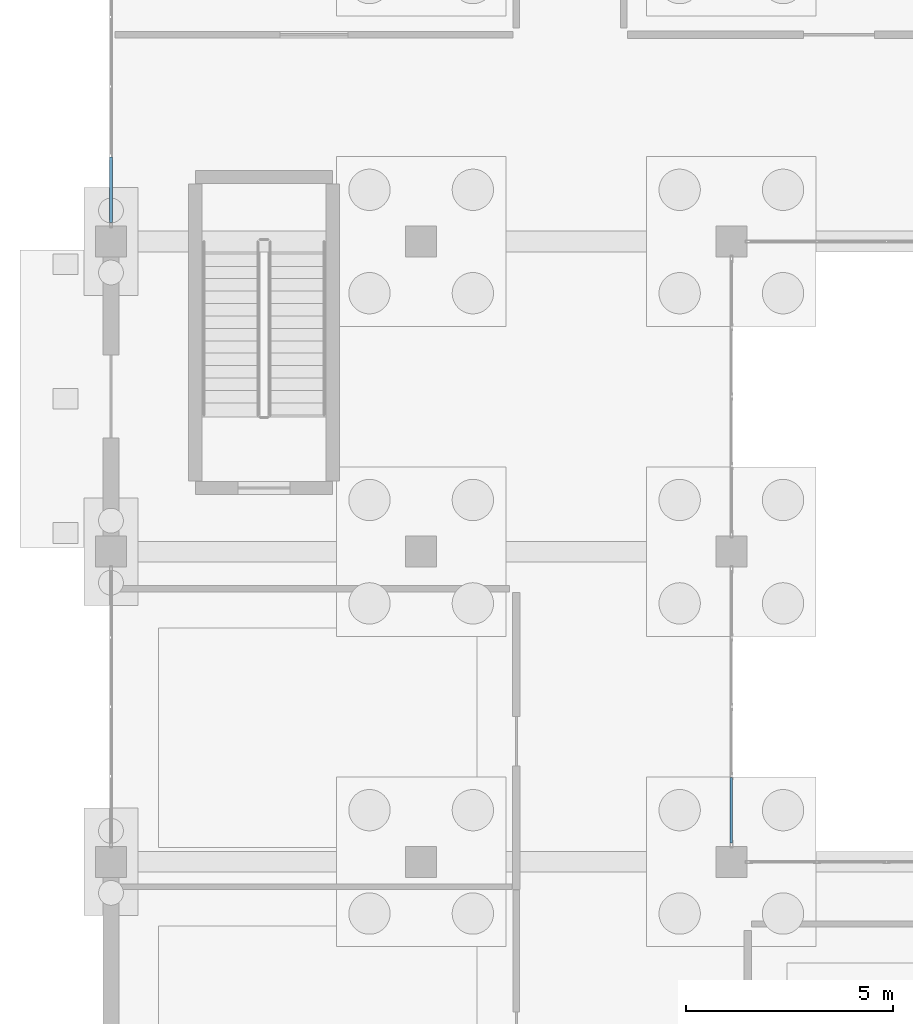
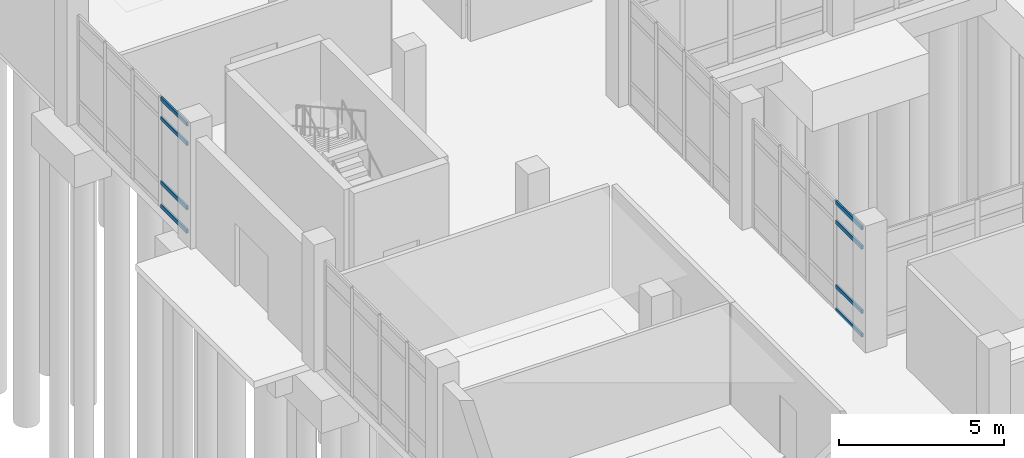
# One storey, part 28 of 173: 8 members, 2 elements without a shape of their own.
"""IFC4 building model written with IfcOpenShell, lengths in metres."""

from ifc_helpers import new_model, si_unit, direction, frame, origin, origin_2d, place, context, subcontext, project, spatial, hollow_rectangle, extrude, material, layer, layer_set, material_profile, profile_set, type_object, element, aggregate, save


model = new_model("IFC4")

# Units and contexts
model_context = context("Model", 3, precision=1e-05, world=origin(), true_north=direction((0.0, 1.0)))
body_context = subcontext(model_context, "Body", "Model", "MODEL_VIEW")
ifc_project = project(units=[si_unit("LENGTHUNIT", "METRE"), si_unit("AREAUNIT", "SQUARE_METRE"), si_unit("VOLUMEUNIT", "CUBIC_METRE"), si_unit("PLANEANGLEUNIT", "RADIAN"), si_unit("MASSUNIT", "GRAM", prefix="KILO")], contexts=[model_context])

# Site, building, storey
site_placement = place(None, origin())
site = spatial("IfcSite", under=ifc_project, at=site_placement, CompositionType="ELEMENT")
building_placement = place(site_placement, origin())
building = spatial("IfcBuilding", under=site, at=building_placement, Name="Mawjan Specialist Oncology Clinic", CompositionType="ELEMENT")
storey_placement = place(building_placement, origin())
storey = spatial("IfcBuildingStorey", under=building, at=storey_placement, Name="L00", CompositionType="ELEMENT", Elevation=0.0)

# Curtain wall, members
ifc_material_1 = material(Name="Unitised spectrally selective aluminium curtain wall", Category="aluminium")
ifc_layer = layer(ifc_material_1, 0.179931640625, Name="Unitised spectrally selective aluminium curtain wall", Category="aluminium")
ifc_layer_set = layer_set([ifc_layer], Name="Unitised spectrally selective aluminium curtain wall")
curtain_wall_type = type_object("IfcCurtainWallType", Name="CW-02", PredefinedType="NOTDEFINED", material=ifc_layer_set)
curtain_wall_1_placement = place(storey_placement, origin())
curtain_wall_1 = element("IfcCurtainWall", 1, at=curtain_wall_1_placement, inside=storey, type_object=curtain_wall_type, Name="L00 Unitised Curtain Wall CW-L00-004", PredefinedType="NOTDEFINED")
ifc_material_2 = material(Name="Thermally broken aluminium 6063-T6", Category="aluminium")
ifc_material_profile = material_profile(ifc_material_2, hollow_rectangle(XDim=0.06494140625, YDim=0.139892578125, WallThickness=0.00390625, at=origin_2d()), Name="ALU TRANSOM 140x65x4", Category="aluminium")
ifc_profile_set = profile_set([ifc_material_profile], Name="Thermally broken aluminium 6063-T6")
member_type = type_object("IfcMemberType", Name="CW-T140", PredefinedType="USERDEFINED", material=ifc_profile_set)
member_1_placement = place(storey_placement, frame((0.0, 31.260009765625, 0.032470703125), z_axis=(0.0, 1.0, 0.0), x_axis=(-1.0, 0.0, 0.0)))
member_1 = element("IfcMember", 2, at=member_1_placement, type_object=member_type, Name="CW-02 transom 1.1", ObjectType="TRANSOM", PredefinedType="USERDEFINED", context=body_context, shape_type="SweptSolid", body=[
    extrude(hollow_rectangle(XDim=0.06494140625, YDim=0.139892578125, WallThickness=0.00390625, at=origin_2d()), origin(), (0.0, 0.0, 1.0), 1.580078125),
])
member_2_placement = place(storey_placement, frame((0.0, 31.260009765625, 0.89990234375), z_axis=(0.0, 1.0, 0.0), x_axis=(-1.0, 0.0, 0.0)))
member_2 = element("IfcMember", 3, at=member_2_placement, type_object=member_type, Name="CW-02 transom 1.2", ObjectType="TRANSOM", PredefinedType="USERDEFINED", context=body_context, shape_type="SweptSolid", body=[
    extrude(hollow_rectangle(XDim=0.06494140625, YDim=0.139892578125, WallThickness=0.00390625, at=origin_2d()), origin(), (0.0, 0.0, 1.0), 1.580078125),
])
member_3_placement = place(storey_placement, frame((0.0, 31.260009765625, 3.284912109375), z_axis=(0.0, 1.0, 0.0), x_axis=(-1.0, 0.0, 0.0)))
member_3 = element("IfcMember", 4, at=member_3_placement, type_object=member_type, Name="CW-02 transom 1.3", ObjectType="TRANSOM", PredefinedType="USERDEFINED", context=body_context, shape_type="SweptSolid", body=[
    extrude(hollow_rectangle(XDim=0.06494140625, YDim=0.139892578125, WallThickness=0.00390625, at=origin_2d()), origin(), (0.0, 0.0, 1.0), 1.580078125),
])
member_4_placement = place(storey_placement, frame((0.0, 31.260009765625, 4.00244140625), z_axis=(0.0, 1.0, 0.0), x_axis=(-1.0, 0.0, 0.0)))
member_4 = element("IfcMember", 5, at=member_4_placement, type_object=member_type, Name="CW-02 transom 1.4", ObjectType="TRANSOM", PredefinedType="USERDEFINED", context=body_context, shape_type="SweptSolid", body=[
    extrude(hollow_rectangle(XDim=0.06494140625, YDim=0.139892578125, WallThickness=0.00390625, at=origin_2d()), origin(), (0.0, 0.0, 1.0), 1.580078125),
])
aggregate(curtain_wall_1, [member_1, member_2, member_3, member_4])

curtain_wall_2_placement = place(storey_placement, origin())
curtain_wall_2 = element("IfcCurtainWall", 6, at=curtain_wall_2_placement, inside=storey, type_object=curtain_wall_type, Name="L00 Unitised Curtain Wall CW-L00-055", PredefinedType="NOTDEFINED")
member_5_placement = place(storey_placement, frame((15.0, 17.840087890625, 0.032470703125), z_axis=(0.0, -1.0, 0.0), x_axis=(1.0, 0.0, 0.0)))
member_5 = element("IfcMember", 7, at=member_5_placement, type_object=member_type, Name="CW-02 transom 4.1", ObjectType="TRANSOM", PredefinedType="USERDEFINED", context=body_context, shape_type="SweptSolid", body=[
    extrude(hollow_rectangle(XDim=0.06494140625, YDim=0.139892578125, WallThickness=0.00390625, at=origin_2d()), origin(), (0.0, 0.0, 1.0), 1.580078125),
])
member_6_placement = place(storey_placement, frame((15.0, 17.840087890625, 0.89990234375), z_axis=(0.0, -1.0, 0.0), x_axis=(1.0, 0.0, 0.0)))
member_6 = element("IfcMember", 8, at=member_6_placement, type_object=member_type, Name="CW-02 transom 4.2", ObjectType="TRANSOM", PredefinedType="USERDEFINED", context=body_context, shape_type="SweptSolid", body=[
    extrude(hollow_rectangle(XDim=0.06494140625, YDim=0.139892578125, WallThickness=0.00390625, at=origin_2d()), origin(), (0.0, 0.0, 1.0), 1.580078125),
])
member_7_placement = place(storey_placement, frame((15.0, 17.840087890625, 3.284912109375), z_axis=(0.0, -1.0, 0.0), x_axis=(1.0, 0.0, 0.0)))
member_7 = element("IfcMember", 9, at=member_7_placement, type_object=member_type, Name="CW-02 transom 4.3", ObjectType="TRANSOM", PredefinedType="USERDEFINED", context=body_context, shape_type="SweptSolid", body=[
    extrude(hollow_rectangle(XDim=0.06494140625, YDim=0.139892578125, WallThickness=0.00390625, at=origin_2d()), origin(), (0.0, 0.0, 1.0), 1.580078125),
])
member_8_placement = place(storey_placement, frame((15.0, 17.840087890625, 4.00244140625), z_axis=(0.0, -1.0, 0.0), x_axis=(1.0, 0.0, 0.0)))
member_8 = element("IfcMember", 10, at=member_8_placement, type_object=member_type, Name="CW-02 transom 4.4", ObjectType="TRANSOM", PredefinedType="USERDEFINED", context=body_context, shape_type="SweptSolid", body=[
    extrude(hollow_rectangle(XDim=0.06494140625, YDim=0.139892578125, WallThickness=0.00390625, at=origin_2d()), origin(), (0.0, 0.0, 1.0), 1.580078125),
])
aggregate(curtain_wall_2, [member_5, member_6, member_7, member_8])

save(model, "model.ifc")
